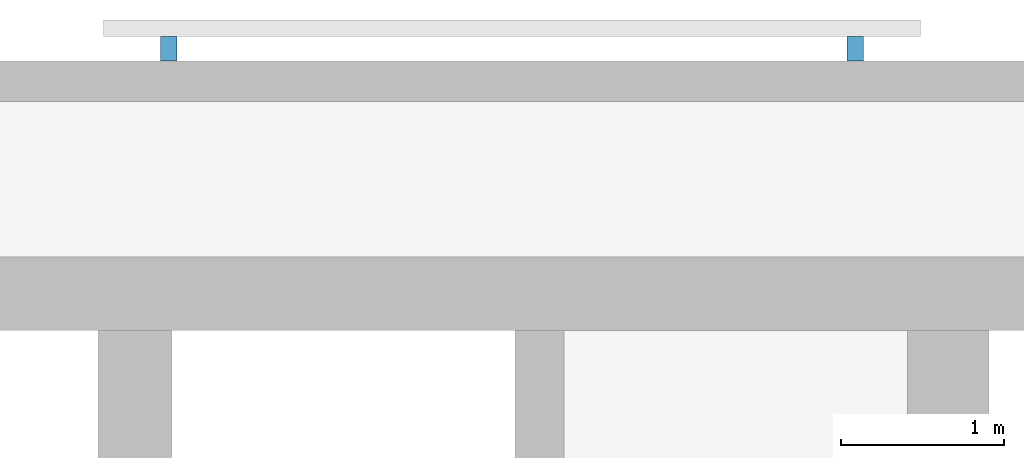
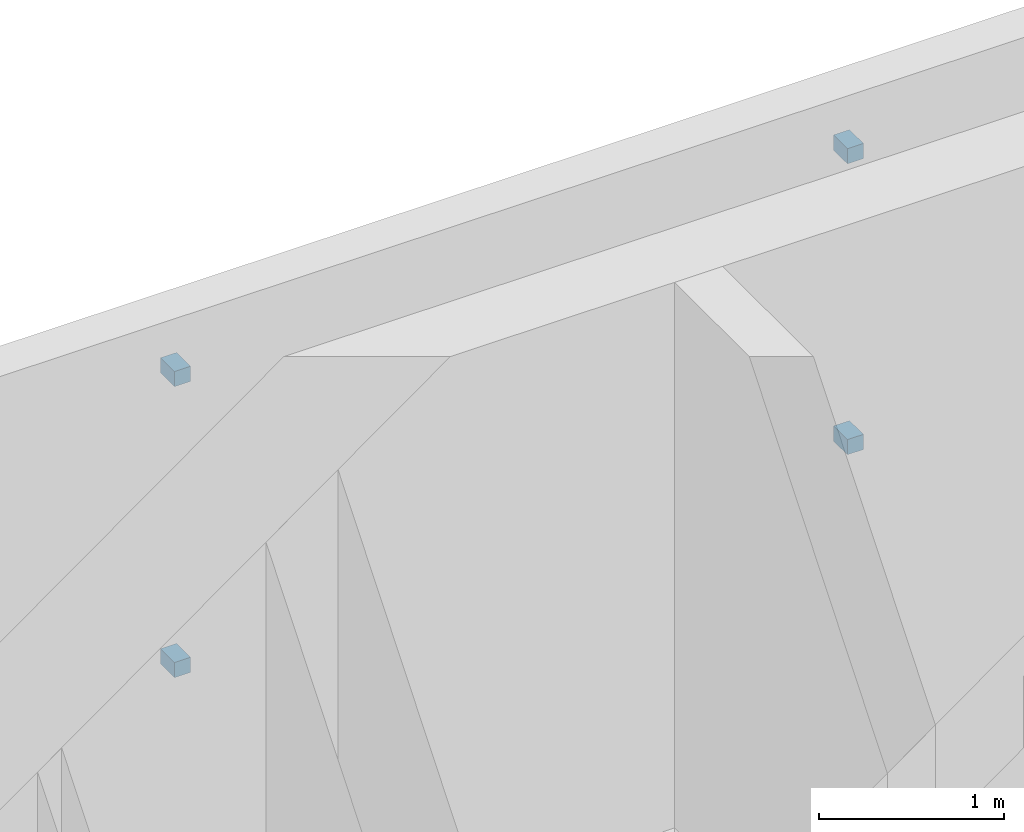
# One storey, part 12 of 15: 4 discrete accessories.
"""IFC4 building model written with IfcOpenShell, lengths in metres."""

from ifc_helpers import new_model, si_unit, direction, frame, origin, origin_2d, place, context, subcontext, project, spatial, rectangle, extrude, material, type_object, element, save


model = new_model("IFC4")

# Units and contexts
model_context = context("Model", 3, precision=1e-05, world=origin(), true_north=direction((0.0, 1.0)))
body_context = subcontext(model_context, "Body", "Model", "MODEL_VIEW")
ifc_project = project(units=[si_unit("LENGTHUNIT", "METRE"), si_unit("AREAUNIT", "SQUARE_METRE"), si_unit("VOLUMEUNIT", "CUBIC_METRE"), si_unit("PLANEANGLEUNIT", "RADIAN"), si_unit("MASSUNIT", "GRAM", prefix="KILO")], contexts=[model_context])

# Site, building, storey
site_placement = place(None, origin())
site = spatial("IfcSite", under=ifc_project, at=site_placement, CompositionType="ELEMENT")
building_placement = place(site_placement, origin())
building = spatial("IfcBuilding", under=site, at=building_placement, Name="Torana Hotel and Residences", CompositionType="ELEMENT")
storey_placement = place(building_placement, frame((0.0, 0.0, 67.199951171875)))
storey = spatial("IfcBuildingStorey", under=building, at=storey_placement, Name="L16", CompositionType="ELEMENT", Elevation=67.199951171875)

# Discrete accessories
ifc_material = material(Name="Steel S355", Category="steel")
discrete_accessory_type = type_object("IfcDiscreteAccessoryType", Name="SCREEN BRACKET 100", PredefinedType="BRACKET", material=ifc_material)
for number, where, z_axis, x_axis, name in (
    (1, (23.681396484375, 1.27490234375, 0.75), (0.0, 0.0, 1.0), (-1.0, 0.0, 0.0), "Screen bracket L16"),
    (2, (23.681396484375, 1.27490234375, 2.669921875), (0.0, 0.0, 1.0), (-1.0, 0.0, 0.0), "Screen bracket L16"),
    (3, (19.4814453125, 1.27490234375, 0.75), (0.0, 0.0, 1.0), (-1.0, 0.0, 0.0), "Screen bracket L16"),
    (4, (19.4814453125, 1.27490234375, 2.669921875), (0.0, 0.0, 1.0), (-1.0, 0.0, 0.0), "Screen bracket L16"),
):
    element("IfcDiscreteAccessory", number, at=place(storey_placement, frame(where, z_axis=z_axis, x_axis=x_axis)), inside=storey, type_object=discrete_accessory_type, Name=name, PredefinedType="BRACKET", context=body_context, shape_type="SweptSolid", body=[
        extrude(rectangle(XDim=0.10009765625, YDim=0.14990234375, at=origin_2d()), origin(), (0.0, 0.0, 1.0), 0.10009765625),
    ])

save(model, "model.ifc")
